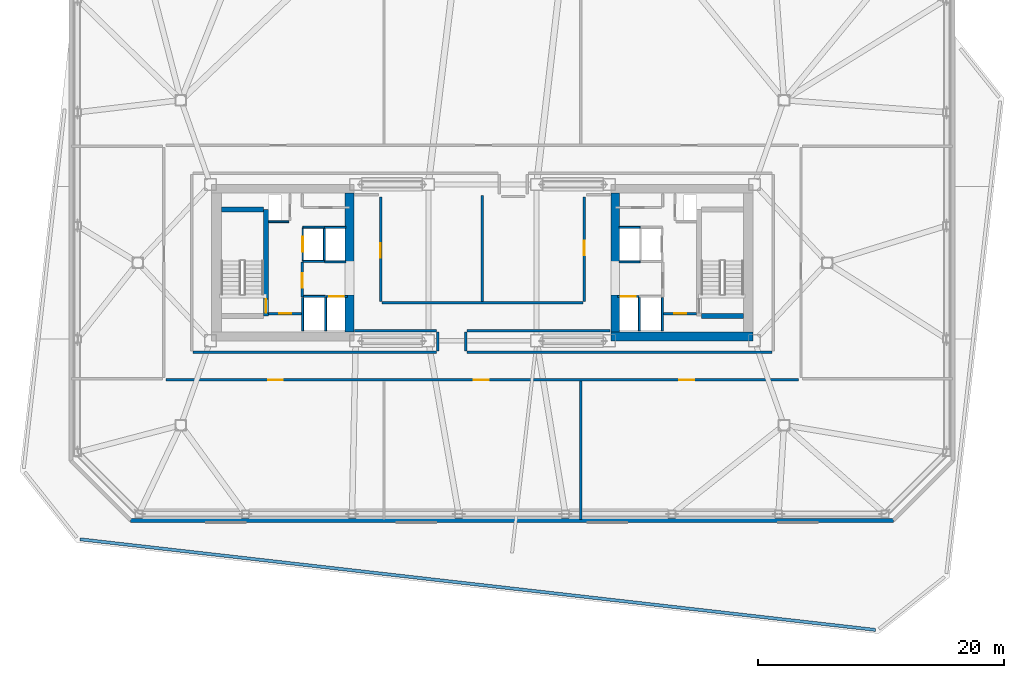
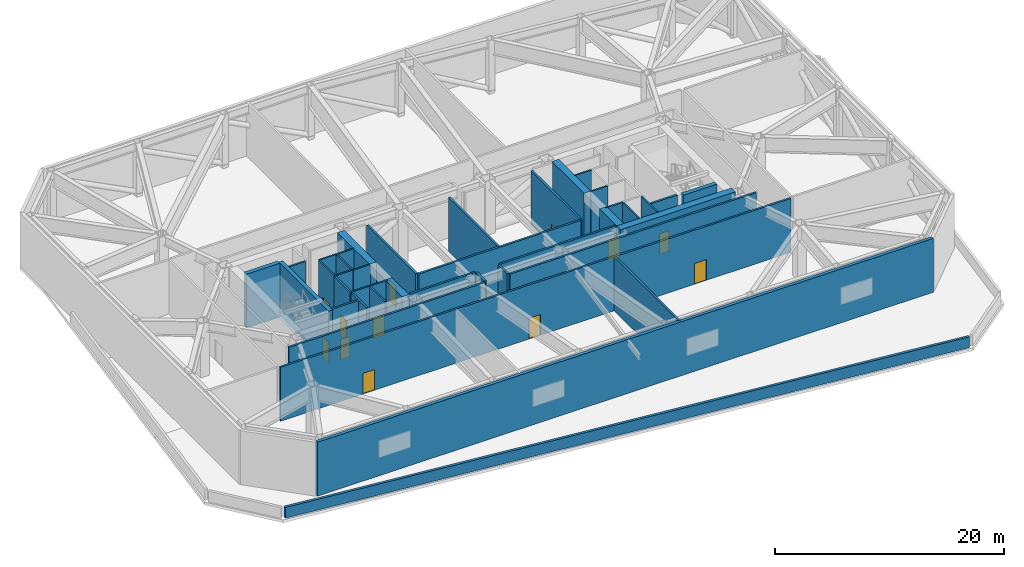
# One storey, part 4 of 12: 41 walls, 12 doors, 12 openings.
"""IFC4 building model written with IfcOpenShell, lengths in metres."""

from ifc_helpers import new_model, si_unit, direction, frame, frame_2d, origin, place, context, subcontext, project, spatial, rectangle, extrude, material, layer, layer_set, type_object, element, fill, save


model = new_model("IFC4")

# Units and contexts
model_context = context("Model", 3, precision=1e-05, world=origin(), true_north=direction((0.0, 1.0)))
body_context = subcontext(model_context, "Body", "Model", "MODEL_VIEW")
ifc_project = project(units=[si_unit("LENGTHUNIT", "METRE"), si_unit("AREAUNIT", "SQUARE_METRE"), si_unit("VOLUMEUNIT", "CUBIC_METRE"), si_unit("PLANEANGLEUNIT", "RADIAN"), si_unit("MASSUNIT", "GRAM", prefix="KILO")], contexts=[model_context])

# Site, building, storey
site_placement = place(None, origin())
site = spatial("IfcSite", under=ifc_project, at=site_placement, CompositionType="ELEMENT")
building_placement = place(site_placement, origin())
building = spatial("IfcBuilding", under=site, at=building_placement, Name="Tavrogorsk Clinical Tower", CompositionType="ELEMENT")
storey_placement = place(building_placement, frame((0.0, 0.0, 146.199951171875)))
storey = spatial("IfcBuildingStorey", under=building, at=storey_placement, Name="L33", CompositionType="ELEMENT", Elevation=146.199951171875)

# Wall, opening, door
ifc_material_1 = material(Name="Concrete B60", Category="concrete")
ifc_layer_1 = layer(ifc_material_1, 0.199951171875)
ifc_layer_set_1 = layer_set([ifc_layer_1], Name="Concrete B60")
wall_type_1 = type_object("IfcWallType", Name="CoreFireWall_200", PredefinedType="SOLIDWALL", material=ifc_layer_set_1)
wall_1_placement = place(storey_placement, frame((-17.3798828125, -4.139892578125, 0.0), z_axis=(0.0, 0.0, 1.0), x_axis=(1.0, 0.0, 0.0)))
wall_1 = element("IfcWall", 1, at=wall_1_placement, inside=storey, type_object=wall_type_1, Name="L33 Core West South Core Room Fire Wall", PredefinedType="SOLIDWALL", context=body_context, shape_type="SweptSolid", body=[
    extrude(rectangle(XDim=2.659912109375, YDim=0.199951171875, at=frame_2d((1.330078125, 0.0))), origin(), (0.0, 0.0, 1.0), 5.739990234375),
])
opening_1_placement = place(wall_1_placement, frame((0.8798828125, 0.0, 0.0)))
opening_1 = element("IfcOpeningElement", 2, at=opening_1_placement, cuts=wall_1, Name="Opening ID-02", PredefinedType="OPENING", context=body_context, shape_type="SweptSolid", body=[
    extrude(rectangle(XDim=0.949951171875, YDim=2.199951171875, at=frame_2d((0.47509765625, 1.10009765625))), frame((0.0, 0.10986328125, 0.0), z_axis=(0.0, -1.0, 0.0), x_axis=(1.0, 0.0, 0.0)), (0.0, 0.0, 1.0), 0.219970703125),
])
ifc_material_2 = material(Name="Laminated timber leaf on aluminium frame", Category="wood")
door_type_1 = type_object("IfcDoorType", Name="InteriorDoor_ID02_950", OperationType="NOTDEFINED", PredefinedType="DOOR", material=ifc_material_2)
door_1_placement = place(opening_1_placement, origin())
door_1 = element("IfcDoor", 3, at=door_1_placement, inside=storey, type_object=door_type_1, Name="L33 Core West South Core Room Door", OperationType="SINGLE_SWING_RIGHT", OverallHeight=2.199951171875, OverallWidth=0.949951171875, PredefinedType="DOOR", context=body_context, shape_type="SweptSolid", body=[
    extrude(rectangle(XDim=0.949951171875, YDim=2.199951171875, at=frame_2d((0.47509765625, 1.10009765625))), frame((0.0, 0.02490234375, 0.0), z_axis=(0.0, -1.0, 0.0), x_axis=(1.0, 0.0, 0.0)), (0.0, 0.0, 1.0), 0.050048828125),
])
fill(opening_1, door_1)

wall_2_placement = place(storey_placement, frame((-14.639892578125, -2.780029296875, 0.0), z_axis=(0.0, 0.0, 1.0), x_axis=(0.0, 1.0, 0.0)))
wall_2 = element("IfcWall", 4, at=wall_2_placement, inside=storey, type_object=wall_type_1, Name="L33 Core West Firefighting Lobby Fire Wall", PredefinedType="SOLIDWALL", context=body_context, shape_type="SweptSolid", body=[
    extrude(rectangle(XDim=2.820068359375, YDim=0.199951171875, at=frame_2d((1.41015625, 0.0))), origin(), (0.0, 0.0, 1.0), 5.739990234375),
])
opening_2_placement = place(wall_2_placement, frame((0.72998046875, 0.0, 0.0)))
opening_2 = element("IfcOpeningElement", 5, at=opening_2_placement, cuts=wall_2, Name="Opening FD-01", PredefinedType="OPENING", context=body_context, shape_type="SweptSolid", body=[
    extrude(rectangle(XDim=1.199951171875, YDim=2.199951171875, at=frame_2d((0.60009765625, 1.10009765625))), frame((0.0, 0.10986328125, 0.0), z_axis=(0.0, -1.0, 0.0), x_axis=(1.0, 0.0, 0.0)), (0.0, 0.0, 1.0), 0.219970703125),
])
ifc_material_3 = material(Name="Galvanised steel fire-rated door assembly", Category="steel")
door_type_2 = type_object("IfcDoorType", Name="FireDoor_FD01_1200", OperationType="NOTDEFINED", PredefinedType="DOOR", material=ifc_material_3)
door_2_placement = place(opening_2_placement, origin())
door_2 = element("IfcDoor", 6, at=door_2_placement, inside=storey, type_object=door_type_2, Name="L33 Core West Firefighting Lobby Entry Door", OperationType="SINGLE_SWING_RIGHT", OverallHeight=2.199951171875, OverallWidth=1.199951171875, PredefinedType="DOOR", context=body_context, shape_type="SweptSolid", body=[
    extrude(rectangle(XDim=1.199951171875, YDim=2.199951171875, at=frame_2d((0.60009765625, 1.10009765625))), frame((0.0, 0.02490234375, 0.0), z_axis=(0.0, -1.0, 0.0), x_axis=(1.0, 0.0, 0.0)), (0.0, 0.0, 1.0), 0.050048828125),
])
fill(opening_2, door_2)

wall_3_placement = place(storey_placement, frame((14.719970703125, -4.139892578125, 0.0), z_axis=(0.0, 0.0, 1.0), x_axis=(1.0, 0.0, 0.0)))
wall_3 = element("IfcWall", 7, at=wall_3_placement, inside=storey, type_object=wall_type_1, Name="L33 Core East South Core Room Fire Wall", PredefinedType="SOLIDWALL", context=body_context, shape_type="SweptSolid", body=[
    extrude(rectangle(XDim=2.659912109375, YDim=0.199951171875, at=frame_2d((1.330078125, 0.0))), origin(), (0.0, 0.0, 1.0), 5.739990234375),
])
opening_3_placement = place(wall_3_placement, frame((0.8798828125, 0.0, 0.0)))
opening_3 = element("IfcOpeningElement", 8, at=opening_3_placement, cuts=wall_3, Name="Opening ID-02", PredefinedType="OPENING", context=body_context, shape_type="SweptSolid", body=[
    extrude(rectangle(XDim=0.949951171875, YDim=2.199951171875, at=frame_2d((0.47509765625, 1.10009765625))), frame((0.0, 0.10986328125, 0.0), z_axis=(0.0, -1.0, 0.0), x_axis=(1.0, 0.0, 0.0)), (0.0, 0.0, 1.0), 0.219970703125),
])
door_3_placement = place(opening_3_placement, origin())
door_3 = element("IfcDoor", 9, at=door_3_placement, inside=storey, type_object=door_type_1, Name="L33 Core East South Core Room Door", OperationType="SINGLE_SWING_RIGHT", OverallHeight=2.199951171875, OverallWidth=0.949951171875, PredefinedType="DOOR", context=body_context, shape_type="SweptSolid", body=[
    extrude(rectangle(XDim=0.949951171875, YDim=2.199951171875, at=frame_2d((0.47509765625, 1.10009765625))), frame((0.0, 0.02490234375, 0.0), z_axis=(0.0, -1.0, 0.0), x_axis=(1.0, 0.0, 0.0)), (0.0, 0.0, 1.0), 0.050048828125),
])
fill(opening_3, door_3)

# Wall, openings, doors
wall_4_placement = place(storey_placement, frame((25.695068359375, -9.530029296875, 0.0), z_axis=(0.0, 0.0, 1.0), x_axis=(-1.0, 0.0, 0.0)))
wall_4 = element("IfcWall", 10, at=wall_4_placement, inside=storey, type_object=wall_type_1, Name="L33 Refuge Corridor Fire Wall 04", PredefinedType="SOLIDWALL", context=body_context, shape_type="SweptSolid", body=[
    extrude(rectangle(XDim=51.39013671875, YDim=0.199951171875, at=frame_2d((25.695068359375, 0.0))), origin(), (0.0, 0.0, 1.0), 5.739990234375),
])
opening_4_placement = place(wall_4_placement, frame((41.906005859375, 0.0, 0.0)))
opening_4 = element("IfcOpeningElement", 11, at=opening_4_placement, cuts=wall_4, Name="Opening FD-01", PredefinedType="OPENING", context=body_context, shape_type="SweptSolid", body=[
    extrude(rectangle(XDim=1.199951171875, YDim=2.199951171875, at=frame_2d((0.60009765625, 1.10009765625))), frame((0.0, 0.10986328125, 0.0), z_axis=(0.0, -1.0, 0.0), x_axis=(1.0, 0.0, 0.0)), (0.0, 0.0, 1.0), 0.219970703125),
])
opening_5_placement = place(wall_4_placement, frame((8.494140625, 0.0, 0.0)))
opening_5 = element("IfcOpeningElement", 12, at=opening_5_placement, cuts=wall_4, Name="Opening FD-01", PredefinedType="OPENING", context=body_context, shape_type="SweptSolid", body=[
    extrude(rectangle(XDim=1.199951171875, YDim=2.199951171875, at=frame_2d((0.60009765625, 1.10009765625))), frame((0.0, 0.10986328125, 0.0), z_axis=(0.0, -1.0, 0.0), x_axis=(1.0, 0.0, 0.0)), (0.0, 0.0, 1.0), 0.219970703125),
])
opening_6_placement = place(wall_4_placement, frame((25.199951171875, 0.0, 0.0)))
opening_6 = element("IfcOpeningElement", 13, at=opening_6_placement, cuts=wall_4, Name="Opening FD-01", PredefinedType="OPENING", context=body_context, shape_type="SweptSolid", body=[
    extrude(rectangle(XDim=1.199951171875, YDim=2.199951171875, at=frame_2d((0.60009765625, 1.10009765625))), frame((0.0, 0.10986328125, 0.0), z_axis=(0.0, -1.0, 0.0), x_axis=(1.0, 0.0, 0.0)), (0.0, 0.0, 1.0), 0.219970703125),
])
door_4_placement = place(opening_4_placement, origin())
door_4 = element("IfcDoor", 14, at=door_4_placement, inside=storey, type_object=door_type_2, Name="L33 Pressurised Patient Refuge Area West Fire Door", OperationType="SINGLE_SWING_LEFT", OverallHeight=2.199951171875, OverallWidth=1.199951171875, PredefinedType="DOOR", context=body_context, shape_type="SweptSolid", body=[
    extrude(rectangle(XDim=1.199951171875, YDim=2.199951171875, at=frame_2d((0.60009765625, 1.10009765625))), frame((0.0, 0.02490234375, 0.0), z_axis=(0.0, -1.0, 0.0), x_axis=(1.0, 0.0, 0.0)), (0.0, 0.0, 1.0), 0.050048828125),
])
fill(opening_4, door_4)
door_5_placement = place(opening_5_placement, origin())
door_5 = element("IfcDoor", 15, at=door_5_placement, inside=storey, type_object=door_type_2, Name="L33 Pressurised Patient Refuge Area East Fire Door", OperationType="SINGLE_SWING_RIGHT", OverallHeight=2.199951171875, OverallWidth=1.199951171875, PredefinedType="DOOR", context=body_context, shape_type="SweptSolid", body=[
    extrude(rectangle(XDim=1.199951171875, YDim=2.199951171875, at=frame_2d((0.60009765625, 1.10009765625))), frame((0.0, 0.02490234375, 0.0), z_axis=(0.0, -1.0, 0.0), x_axis=(1.0, 0.0, 0.0)), (0.0, 0.0, 1.0), 0.050048828125),
])
fill(opening_5, door_5)
door_6_placement = place(opening_6_placement, origin())
door_6 = element("IfcDoor", 16, at=door_6_placement, inside=storey, type_object=door_type_2, Name="L33 Bariatric & Stretcher Holding Refuge Fire Door", OperationType="SINGLE_SWING_LEFT", OverallHeight=2.199951171875, OverallWidth=1.199951171875, PredefinedType="DOOR", context=body_context, shape_type="SweptSolid", body=[
    extrude(rectangle(XDim=1.199951171875, YDim=2.199951171875, at=frame_2d((0.60009765625, 1.10009765625))), frame((0.0, 0.02490234375, 0.0), z_axis=(0.0, -1.0, 0.0), x_axis=(1.0, 0.0, 0.0)), (0.0, 0.0, 1.0), 0.050048828125),
])
fill(opening_6, door_6)

# Walls
wall_5_placement = place(storey_placement, frame((-3.6298828125, -7.1650390625, 0.0), z_axis=(0.0, 0.0, 1.0), x_axis=(0.0, 1.0, 0.0)))
element("IfcWall", 17, at=wall_5_placement, inside=storey, type_object=wall_type_1, Name="L33 Refuge Corridor Fire Wall 05", PredefinedType="SOLIDWALL", context=body_context, shape_type="SweptSolid", body=[
    extrude(rectangle(XDim=1.530029296875, YDim=0.199951171875, at=frame_2d((0.76513671875, 0.0))), origin(), (0.0, 0.0, 1.0), 5.739990234375),
])
wall_6_placement = place(storey_placement, frame((-3.735107421875, -5.530029296875, 0.0), z_axis=(0.0, 0.0, 1.0), x_axis=(-1.0, 0.0, 0.0)))
element("IfcWall", 18, at=wall_6_placement, inside=storey, type_object=wall_type_1, Name="L33 Refuge Corridor Fire Wall 06", PredefinedType="SOLIDWALL", context=body_context, shape_type="SweptSolid", body=[
    extrude(rectangle(XDim=6.644775390625, YDim=0.199951171875, at=frame_2d((3.322265625, 0.0))), origin(), (0.0, 0.0, 1.0), 5.739990234375),
])

# Wall, opening, door
wall_7_placement = place(storey_placement, frame((-8.27001953125, 5.344970703125, 0.0), z_axis=(0.0, 0.0, 1.0), x_axis=(0.0, -1.0, 0.0)))
wall_7 = element("IfcWall", 19, at=wall_7_placement, inside=storey, type_object=wall_type_1, Name="L33 Refuge Corridor Fire Wall 08", PredefinedType="SOLIDWALL", context=body_context, shape_type="SweptSolid", body=[
    extrude(rectangle(XDim=8.510009765625, YDim=0.199951171875, at=frame_2d((4.2548828125, 0.0))), origin(), (0.0, 0.0, 1.0), 5.739990234375),
])
opening_7_placement = place(wall_7_placement, frame((3.760009765625, 0.0, 0.0)))
opening_7 = element("IfcOpeningElement", 20, at=opening_7_placement, cuts=wall_7, Name="Opening FD-01", PredefinedType="OPENING", context=body_context, shape_type="SweptSolid", body=[
    extrude(rectangle(XDim=1.199951171875, YDim=2.199951171875, at=frame_2d((0.60009765625, 1.10009765625))), frame((0.0, 0.10986328125, 0.0), z_axis=(0.0, -1.0, 0.0), x_axis=(1.0, 0.0, 0.0)), (0.0, 0.0, 1.0), 0.219970703125),
])
door_7_placement = place(opening_7_placement, origin())
door_7 = element("IfcDoor", 21, at=door_7_placement, inside=storey, type_object=door_type_2, Name="L33 Zone Substation & Medical IT UPS Fire Door", OperationType="SINGLE_SWING_LEFT", OverallHeight=2.199951171875, OverallWidth=1.199951171875, PredefinedType="DOOR", context=body_context, shape_type="SweptSolid", body=[
    extrude(rectangle(XDim=1.199951171875, YDim=2.199951171875, at=frame_2d((0.60009765625, 1.10009765625))), frame((0.0, 0.02490234375, 0.0), z_axis=(0.0, -1.0, 0.0), x_axis=(1.0, 0.0, 0.0)), (0.0, 0.0, 1.0), 0.050048828125),
])
fill(opening_7, door_7)

# Wall
wall_8_placement = place(storey_placement, frame((-8.1650390625, -3.27001953125, 0.0), z_axis=(0.0, 0.0, 1.0), x_axis=(1.0, 0.0, 0.0)))
element("IfcWall", 22, at=wall_8_placement, inside=storey, type_object=wall_type_1, Name="L33 Refuge Corridor Fire Wall 09", PredefinedType="SOLIDWALL", context=body_context, shape_type="SweptSolid", body=[
    extrude(rectangle(XDim=16.330078125, YDim=0.199951171875, at=frame_2d((8.1650390625, 0.0))), origin(), (0.0, 0.0, 1.0), 5.739990234375),
])

# Wall, opening, door
wall_9_placement = place(storey_placement, frame((8.27001953125, -3.1650390625, 0.0), z_axis=(0.0, 0.0, 1.0), x_axis=(0.0, 1.0, 0.0)))
wall_9 = element("IfcWall", 23, at=wall_9_placement, inside=storey, type_object=wall_type_1, Name="L33 Refuge Corridor Fire Wall 10", PredefinedType="SOLIDWALL", context=body_context, shape_type="SweptSolid", body=[
    extrude(rectangle(XDim=8.510009765625, YDim=0.199951171875, at=frame_2d((4.2548828125, 0.0))), origin(), (0.0, 0.0, 1.0), 5.739990234375),
])
opening_8_placement = place(wall_9_placement, frame((3.760009765625, 0.0, 0.0)))
opening_8 = element("IfcOpeningElement", 24, at=opening_8_placement, cuts=wall_9, Name="Opening FD-01", PredefinedType="OPENING", context=body_context, shape_type="SweptSolid", body=[
    extrude(rectangle(XDim=1.199951171875, YDim=2.199951171875, at=frame_2d((0.60009765625, 1.10009765625))), frame((0.0, 0.10986328125, 0.0), z_axis=(0.0, -1.0, 0.0), x_axis=(1.0, 0.0, 0.0)), (0.0, 0.0, 1.0), 0.219970703125),
])
door_8_placement = place(opening_8_placement, origin())
door_8 = element("IfcDoor", 25, at=door_8_placement, inside=storey, type_object=door_type_2, Name="L33 Zone Domestic Water & Vacuum Booster Fire Door", OperationType="SINGLE_SWING_RIGHT", OverallHeight=2.199951171875, OverallWidth=1.199951171875, PredefinedType="DOOR", context=body_context, shape_type="SweptSolid", body=[
    extrude(rectangle(XDim=1.199951171875, YDim=2.199951171875, at=frame_2d((0.60009765625, 1.10009765625))), frame((0.0, 0.02490234375, 0.0), z_axis=(0.0, -1.0, 0.0), x_axis=(1.0, 0.0, 0.0)), (0.0, 0.0, 1.0), 0.050048828125),
])
fill(opening_8, door_8)

# Walls
wall_10_placement = place(storey_placement, frame((10.3798828125, -5.530029296875, 0.0), z_axis=(0.0, 0.0, 1.0), x_axis=(-1.0, 0.0, 0.0)))
element("IfcWall", 26, at=wall_10_placement, inside=storey, type_object=wall_type_1, Name="L33 Refuge Corridor Fire Wall 12", PredefinedType="SOLIDWALL", context=body_context, shape_type="SweptSolid", body=[
    extrude(rectangle(XDim=11.644775390625, YDim=0.199951171875, at=frame_2d((5.822265625, 0.0))), origin(), (0.0, 0.0, 1.0), 5.739990234375),
])
wall_11_placement = place(storey_placement, frame((-1.3701171875, -5.635009765625, 0.0), z_axis=(0.0, 0.0, 1.0), x_axis=(0.0, -1.0, 0.0)))
element("IfcWall", 27, at=wall_11_placement, inside=storey, type_object=wall_type_1, Name="L33 Refuge Corridor Fire Wall 13", PredefinedType="SOLIDWALL", context=body_context, shape_type="SweptSolid", body=[
    extrude(rectangle(XDim=1.530029296875, YDim=0.199951171875, at=frame_2d((0.76513671875, 0.0))), origin(), (0.0, 0.0, 1.0), 5.739990234375),
])
wall_12_placement = place(storey_placement, frame((-1.264892578125, -7.27001953125, 0.0), z_axis=(0.0, 0.0, 1.0), x_axis=(1.0, 0.0, 0.0)))
element("IfcWall", 28, at=wall_12_placement, inside=storey, type_object=wall_type_1, Name="L33 Refuge Corridor Fire Wall 14", PredefinedType="SOLIDWALL", context=body_context, shape_type="SweptSolid", body=[
    extrude(rectangle(XDim=24.77978515625, YDim=0.199951171875, at=frame_2d((12.389892578125, 0.0))), origin(), (0.0, 0.0, 1.0), 5.739990234375),
])
wall_13_placement = place(storey_placement, frame((-23.514892578125, -7.27001953125, 0.0), z_axis=(0.0, 0.0, 1.0), x_axis=(1.0, 0.0, 0.0)))
element("IfcWall", 29, at=wall_13_placement, inside=storey, type_object=wall_type_1, Name="L33 Refuge Corridor Fire Wall 22", PredefinedType="SOLIDWALL", context=body_context, shape_type="SweptSolid", body=[
    extrude(rectangle(XDim=19.77978515625, YDim=0.199951171875, at=frame_2d((9.889892578125, 0.0))), origin(), (0.0, 0.0, 1.0), 5.739990234375),
])
wall_14_placement = place(storey_placement, frame((8.0, -20.8798828125, 0.0), z_axis=(0.0, 0.0, 1.0), x_axis=(0.0, 1.0, 0.0)))
element("IfcWall", 30, at=wall_14_placement, inside=storey, type_object=wall_type_1, Name="L33 Refuge & Plant Fire Wall 6", PredefinedType="SOLIDWALL", context=body_context, shape_type="SweptSolid", body=[
    extrude(rectangle(XDim=11.244873046875, YDim=0.199951171875, at=frame_2d((5.62255859375, 0.0))), origin(), (0.0, 0.0, 1.0), 5.739990234375),
])
wall_15_placement = place(storey_placement, frame((0.0, -3.1650390625, 0.0), z_axis=(0.0, 0.0, 1.0), x_axis=(0.0, 1.0, 0.0)))
element("IfcWall", 31, at=wall_15_placement, inside=storey, type_object=wall_type_1, Name="L33 Refuge & Plant Fire Wall 9", PredefinedType="SOLIDWALL", context=body_context, shape_type="SweptSolid", body=[
    extrude(rectangle(XDim=8.614990234375, YDim=0.199951171875, at=frame_2d((4.3076171875, 0.0))), origin(), (0.0, 0.0, 1.0), 5.739990234375),
])
ifc_material_4 = material(Name="Precast concrete B45 acoustic plenum wall", Category="concrete")
ifc_layer_2 = layer(ifc_material_4, 0.320068359375)
ifc_layer_set_2 = layer_set([ifc_layer_2], Name="Precast concrete B45 acoustic plenum wall")
wall_type_2 = type_object("IfcWallType", Name="PlantLouvreWall_320", PredefinedType="STANDARD", material=ifc_layer_set_2)
wall_16_placement = place(storey_placement, frame((-28.60009765625, -20.93994140625, 0.0), z_axis=(0.0, 0.0, 1.0), x_axis=(1.0, 0.0, 0.0)))
element("IfcWall", 32, at=wall_16_placement, inside=storey, type_object=wall_type_2, Name="L33 S Limestone Facade Wall 1", PredefinedType="STANDARD", context=body_context, shape_type="SweptSolid", body=[
    extrude(rectangle(XDim=62.0, YDim=0.320068359375, at=frame_2d((31.0, 0.0))), origin(), (0.0, 0.0, 1.0), 5.739990234375),
])
ifc_material_5 = material(Name="Concrete B60", Category="concrete")
ifc_layer_3 = layer(ifc_material_5, 0.25)
ifc_layer_set_3 = layer_set([ifc_layer_3], Name="Concrete B60")
wall_type_3 = type_object("IfcWallType", Name="RoofParapetWall_250", PredefinedType="PARAPET", material=ifc_layer_set_3)
wall_17_placement = place(storey_placement, frame((31.939208984375, -29.84423828125, 0.0), z_axis=(0.0, 0.0, 1.0), x_axis=(-0.993572062515, 0.113201398353, 0.0)))
element("IfcWall", 33, at=wall_17_placement, inside=storey, type_object=wall_type_3, Name="L33 Setback Coping Parapet 6", PredefinedType="PARAPET", context=body_context, shape_type="SweptSolid", body=[
    extrude(rectangle(XDim=65.048095703125, YDim=0.25, at=frame_2d((32.52392578125, 0.0))), origin(), (0.0, 0.0, 1.0), 1.150146484375),
])

# Wall, opening, door
ifc_material_6 = material(Name="Lightweight concrete blockwork B25", Category="masonry")
ifc_layer_4 = layer(ifc_material_6, 0.159912109375)
ifc_layer_set_4 = layer_set([ifc_layer_4], Name="Lightweight concrete blockwork B25")
wall_type_4 = type_object("IfcWallType", Name="ShaftWall_160", PredefinedType="PARTITIONING", material=ifc_layer_set_4)
wall_18_placement = place(storey_placement, frame((-14.60009765625, 0.1201171875, 0.0), z_axis=(0.0, 0.0, 1.0), x_axis=(0.0, 1.0, 0.0)))
wall_18 = element("IfcWall", 34, at=wall_18_placement, inside=storey, type_object=wall_type_4, Name="L33 FFL-W Firefighting Lift Front Wall", PredefinedType="PARTITIONING", context=body_context, shape_type="SweptSolid", body=[
    extrude(rectangle(XDim=2.739990234375, YDim=0.159912109375, at=frame_2d((1.3701171875, 0.0))), origin(), (0.0, 0.0, 1.0), 5.739990234375),
])
opening_9_placement = place(wall_18_placement, frame((0.77001953125, 0.0, 0.0)))
opening_9 = element("IfcOpeningElement", 35, at=opening_9_placement, cuts=wall_18, Name="Opening LD", PredefinedType="OPENING", context=body_context, shape_type="SweptSolid", body=[
    extrude(rectangle(XDim=1.199951171875, YDim=2.199951171875, at=frame_2d((0.60009765625, 1.10009765625))), frame((0.0, 0.08984375, 0.0), z_axis=(0.0, -1.0, 0.0), x_axis=(1.0, 0.0, 0.0)), (0.0, 0.0, 1.0), 0.179931640625),
])
ifc_material_7 = material(Name="Brushed stainless steel AISI 304 sliding doors", Category="steel")
door_type_3 = type_object("IfcDoorType", Name="LiftLandingDoor_LD_1200", OperationType="SLIDING_TO_LEFT", PredefinedType="DOOR", material=ifc_material_7)
door_9_placement = place(opening_9_placement, origin())
door_9 = element("IfcDoor", 36, at=door_9_placement, inside=storey, type_object=door_type_3, Name="L33 FFL-W Sliding Lift Landing Door", OperationType="SLIDING_TO_LEFT", OverallHeight=2.199951171875, OverallWidth=1.199951171875, PredefinedType="DOOR", context=body_context, shape_type="SweptSolid", body=[
    extrude(rectangle(XDim=1.199951171875, YDim=2.199951171875, at=frame_2d((0.60009765625, 1.10009765625))), frame((0.0, 0.02490234375, 0.0), z_axis=(0.0, -1.0, 0.0), x_axis=(1.0, 0.0, 0.0)), (0.0, 0.0, 1.0), 0.050048828125),
])
fill(opening_9, door_9)

# Walls
for number, where, z_axis, x_axis, name in (
    (37, (-14.60009765625, 0.10009765625, 0.0), (0.0, 0.0, 1.0), (1.0, 0.0, 0.0), "L33 FFL-W Shaft South Wall"),
    (38, (-14.60009765625, 2.8798828125, 0.0), (0.0, 0.0, 1.0), (1.0, 0.0, 0.0), "L33 FFL-W Shaft North Wall"),
):
    element("IfcWall", number, at=place(storey_placement, frame(where, z_axis=z_axis, x_axis=x_axis)), inside=storey, type_object=wall_type_4, Name=name, PredefinedType="PARTITIONING", context=body_context, shape_type="SweptSolid", body=[
        extrude(rectangle(XDim=1.760009765625, YDim=0.159912109375, at=frame_2d((0.8798828125, 0.0))), origin(), (0.0, 0.0, 1.0), 5.739990234375),
    ])
wall_19_placement = place(storey_placement, frame((-12.840087890625, 0.179931640625, 0.0), z_axis=(0.0, 0.0, 1.0), x_axis=(0.0, 1.0, 0.0)))
element("IfcWall", 39, at=wall_19_placement, inside=storey, type_object=wall_type_4, Name="L33 FFL-W Shaft Back Wall", PredefinedType="PARTITIONING", context=body_context, shape_type="SweptSolid", body=[
    extrude(rectangle(XDim=2.6201171875, YDim=0.159912109375, at=frame_2d((1.31005859375, 0.0))), origin(), (0.0, 0.0, 1.0), 5.739990234375),
])
wall_20_placement = place(storey_placement, frame((-14.530029296875, -2.75, 0.0), z_axis=(0.0, 0.0, 1.0), x_axis=(1.0, 0.0, 0.0)))
element("IfcWall", 40, at=wall_20_placement, inside=storey, type_object=wall_type_4, Name="L33 LP-L1 Lift Shaft Portal Wall", PredefinedType="PARTITIONING", context=body_context, shape_type="SweptSolid", body=[
    extrude(rectangle(XDim=1.760009765625, YDim=0.159912109375, at=frame_2d((0.8798828125, 0.0))), origin(), (0.0, 0.0, 1.0), 5.739990234375),
])
for number, where, z_axis, x_axis, name in (
    (41, (-12.75, -5.5400390625, 0.0), (0.0, 0.0, 1.0), (0.0, 1.0, 0.0), "L33 LP-L1 Lift Hoistway Divider Wall"),
    (42, (-14.610107421875, -5.5400390625, 0.0), (0.0, 0.0, 1.0), (0.0, 1.0, 0.0), "L33 LP-L1 Lift Hoistway Outer Cheek Wall"),
):
    element("IfcWall", number, at=place(storey_placement, frame(where, z_axis=z_axis, x_axis=x_axis)), inside=storey, type_object=wall_type_4, Name=name, PredefinedType="PARTITIONING", context=body_context, shape_type="SweptSolid", body=[
        extrude(rectangle(XDim=2.699951171875, YDim=0.159912109375, at=frame_2d((1.35009765625, 0.0))), origin(), (0.0, 0.0, 1.0), 5.739990234375),
    ])

# Wall, opening, door
wall_21_placement = place(storey_placement, frame((-12.72998046875, -2.75, 0.0), z_axis=(0.0, 0.0, 1.0), x_axis=(1.0, 0.0, 0.0)))
wall_21 = element("IfcWall", 43, at=wall_21_placement, inside=storey, type_object=wall_type_4, Name="L33 LP-M1 Lift Shaft Portal Wall", PredefinedType="PARTITIONING", context=body_context, shape_type="SweptSolid", body=[
    extrude(rectangle(XDim=1.760009765625, YDim=0.159912109375, at=frame_2d((0.8798828125, 0.0))), origin(), (0.0, 0.0, 1.0), 5.739990234375),
])
opening_10_placement = place(wall_21_placement, frame((0.280029296875, 0.0, 0.0)))
opening_10 = element("IfcOpeningElement", 44, at=opening_10_placement, cuts=wall_21, Name="Opening LD", PredefinedType="OPENING", context=body_context, shape_type="SweptSolid", body=[
    extrude(rectangle(XDim=1.199951171875, YDim=2.199951171875, at=frame_2d((0.60009765625, 1.10009765625))), frame((0.0, 0.08984375, 0.0), z_axis=(0.0, -1.0, 0.0), x_axis=(1.0, 0.0, 0.0)), (0.0, 0.0, 1.0), 0.179931640625),
])
door_10_placement = place(opening_10_placement, origin())
door_10 = element("IfcDoor", 45, at=door_10_placement, inside=storey, type_object=door_type_3, Name="L33 LP-M1 Sliding Lift Landing Door", OperationType="SLIDING_TO_LEFT", OverallHeight=2.199951171875, OverallWidth=1.199951171875, PredefinedType="DOOR", context=body_context, shape_type="SweptSolid", body=[
    extrude(rectangle(XDim=1.199951171875, YDim=2.199951171875, at=frame_2d((0.60009765625, 1.10009765625))), frame((0.0, 0.02490234375, 0.0), z_axis=(0.0, -1.0, 0.0), x_axis=(1.0, 0.0, 0.0)), (0.0, 0.0, 1.0), 0.050048828125),
])
fill(opening_10, door_10)

# Walls
for number, where, z_axis, x_axis, name in (
    (46, (-12.820068359375, 0.06005859375, 0.0), (0.0, 0.0, 1.0), (1.0, 0.0, 0.0), "L33 LP-H1 High-Zone Lift Portal Wall"),
    (47, (-12.820068359375, 2.860107421875, 0.0), (0.0, 0.0, 1.0), (1.0, 0.0, 0.0), "L33 LP-H1 High-Zone Lift Rear Wall"),
):
    element("IfcWall", number, at=place(storey_placement, frame(where, z_axis=z_axis, x_axis=x_axis)), inside=storey, type_object=wall_type_4, Name=name, PredefinedType="PARTITIONING", context=body_context, shape_type="SweptSolid", body=[
        extrude(rectangle(XDim=1.719970703125, YDim=0.159912109375, at=frame_2d((0.85986328125, 0.0))), origin(), (0.0, 0.0, 1.0), 5.739990234375),
    ])
for number, where, z_axis, x_axis, name in (
    (48, (12.75, -5.5400390625, 0.0), (0.0, 0.0, 1.0), (0.0, 1.0, 0.0), "L33 LP-L2 Lift Hoistway Divider Wall"),
    (49, (14.610107421875, -5.5400390625, 0.0), (0.0, 0.0, 1.0), (0.0, 1.0, 0.0), "L33 LP-L2 Lift Hoistway Outer Cheek Wall"),
):
    element("IfcWall", number, at=place(storey_placement, frame(where, z_axis=z_axis, x_axis=x_axis)), inside=storey, type_object=wall_type_4, Name=name, PredefinedType="PARTITIONING", context=body_context, shape_type="SweptSolid", body=[
        extrude(rectangle(XDim=2.699951171875, YDim=0.159912109375, at=frame_2d((1.35009765625, 0.0))), origin(), (0.0, 0.0, 1.0), 5.739990234375),
    ])

# Wall, opening, door
wall_22_placement = place(storey_placement, frame((10.969970703125, -2.75, 0.0), z_axis=(0.0, 0.0, 1.0), x_axis=(1.0, 0.0, 0.0)))
wall_22 = element("IfcWall", 50, at=wall_22_placement, inside=storey, type_object=wall_type_4, Name="L33 LP-M2 Lift Shaft Portal Wall", PredefinedType="PARTITIONING", context=body_context, shape_type="SweptSolid", body=[
    extrude(rectangle(XDim=1.760009765625, YDim=0.159912109375, at=frame_2d((0.8798828125, 0.0))), origin(), (0.0, 0.0, 1.0), 5.739990234375),
])
opening_11_placement = place(wall_22_placement, frame((0.280029296875, 0.0, 0.0)))
opening_11 = element("IfcOpeningElement", 51, at=opening_11_placement, cuts=wall_22, Name="Opening LD", PredefinedType="OPENING", context=body_context, shape_type="SweptSolid", body=[
    extrude(rectangle(XDim=1.199951171875, YDim=2.199951171875, at=frame_2d((0.60009765625, 1.10009765625))), frame((0.0, 0.08984375, 0.0), z_axis=(0.0, -1.0, 0.0), x_axis=(1.0, 0.0, 0.0)), (0.0, 0.0, 1.0), 0.179931640625),
])
door_11_placement = place(opening_11_placement, origin())
door_11 = element("IfcDoor", 52, at=door_11_placement, inside=storey, type_object=door_type_3, Name="L33 LP-M2 Sliding Lift Landing Door", OperationType="SLIDING_TO_LEFT", OverallHeight=2.199951171875, OverallWidth=1.199951171875, PredefinedType="DOOR", context=body_context, shape_type="SweptSolid", body=[
    extrude(rectangle(XDim=1.199951171875, YDim=2.199951171875, at=frame_2d((0.60009765625, 1.10009765625))), frame((0.0, 0.02490234375, 0.0), z_axis=(0.0, -1.0, 0.0), x_axis=(1.0, 0.0, 0.0)), (0.0, 0.0, 1.0), 0.050048828125),
])
fill(opening_11, door_11)

# Walls
for number, where, z_axis, x_axis, name in (
    (53, (11.10009765625, 0.06005859375, 0.0), (0.0, 0.0, 1.0), (1.0, 0.0, 0.0), "L33 LP-H2 High-Zone Lift Portal Wall"),
    (54, (11.10009765625, 2.860107421875, 0.0), (0.0, 0.0, 1.0), (1.0, 0.0, 0.0), "L33 LP-H2 High-Zone Lift Rear Wall"),
):
    element("IfcWall", number, at=place(storey_placement, frame(where, z_axis=z_axis, x_axis=x_axis)), inside=storey, type_object=wall_type_4, Name=name, PredefinedType="PARTITIONING", context=body_context, shape_type="SweptSolid", body=[
        extrude(rectangle(XDim=1.719970703125, YDim=0.159912109375, at=frame_2d((0.85986328125, 0.0))), origin(), (0.0, 0.0, 1.0), 5.739990234375),
    ])
wall_23_placement = place(storey_placement, frame((-17.3798828125, 3.320068359375, 0.0), z_axis=(0.0, 0.0, 1.0), x_axis=(1.0, 0.0, 0.0)))
element("IfcWall", 55, at=wall_23_placement, inside=storey, type_object=wall_type_4, Name="L33 Core West Riser South Wall", PredefinedType="PARTITIONING", context=body_context, shape_type="SweptSolid", body=[
    extrude(rectangle(XDim=1.65478515625, YDim=0.159912109375, at=frame_2d((0.827392578125, 0.0))), origin(), (0.0, 0.0, 1.0), 5.739990234375),
])

# Wall, opening, door
ifc_material_8 = material(Name="Concrete B80", Category="concrete")
ifc_layer_5 = layer(ifc_material_8, 0.39990234375)
ifc_layer_set_5 = layer_set([ifc_layer_5], Name="Concrete B80")
wall_type_5 = type_object("IfcWallType", Name="ShearWall_400", PredefinedType="SHEAR", material=ifc_layer_set_5)
wall_24_placement = place(storey_placement, frame((-17.60009765625, -4.324951171875, 0.0), z_axis=(0.0, 0.0, 1.0), x_axis=(0.0, 1.0, 0.0)))
wall_24 = element("IfcWall", 56, at=wall_24_placement, inside=storey, type_object=wall_type_5, Name="L33 Core West Stair Shaft Inner Shear Wall", PredefinedType="SHEAR", context=body_context, shape_type="SweptSolid", body=[
    extrude(rectangle(XDim=8.64990234375, YDim=0.39990234375, at=frame_2d((4.324951171875, 0.0))), origin(), (0.0, 0.0, 1.0), 5.739990234375),
])
opening_12_placement = place(wall_24_placement, frame((0.25, 0.0, 0.0)))
opening_12 = element("IfcOpeningElement", 57, at=opening_12_placement, cuts=wall_24, Name="Opening SD-01", PredefinedType="OPENING", context=body_context, shape_type="SweptSolid", body=[
    extrude(rectangle(XDim=1.10009765625, YDim=2.199951171875, at=frame_2d((0.550048828125, 1.10009765625))), frame((0.0, 0.2099609375, 0.0), z_axis=(0.0, -1.0, 0.0), x_axis=(1.0, 0.0, 0.0)), (0.0, 0.0, 1.0), 0.419921875),
])
ifc_material_9 = material(Name="Galvanised steel smoke-tight fire door assembly", Category="steel")
door_type_4 = type_object("IfcDoorType", Name="StairFireDoor_SD01_1100", OperationType="NOTDEFINED", PredefinedType="DOOR", material=ifc_material_9)
door_12_placement = place(opening_12_placement, origin())
door_12 = element("IfcDoor", 58, at=door_12_placement, inside=storey, type_object=door_type_4, Name="L33 ST-W Exit Stair Door", OperationType="SINGLE_SWING_RIGHT", OverallHeight=2.199951171875, OverallWidth=1.10009765625, PredefinedType="DOOR", context=body_context, shape_type="SweptSolid", body=[
    extrude(rectangle(XDim=1.10009765625, YDim=2.199951171875, at=frame_2d((0.550048828125, 1.10009765625))), frame((0.0, 0.02490234375, 0.0), z_axis=(0.0, -1.0, 0.0), x_axis=(1.0, 0.0, 0.0)), (0.0, 0.0, 1.0), 0.050048828125),
])
fill(opening_12, door_12)

# Walls
for number, where, z_axis, x_axis, name in (
    (59, (-21.199951171875, 4.324951171875, 0.0), (0.0, 0.0, 1.0), (1.0, 0.0, 0.0), "L33 Core West Stair Shaft North Shear Wall"),
    (60, (17.800048828125, -4.324951171875, 0.0), (0.0, 0.0, 1.0), (1.0, 0.0, 0.0), "L33 Core East Stair Shaft South Shear Wall"),
):
    element("IfcWall", number, at=place(storey_placement, frame(where, z_axis=z_axis, x_axis=x_axis)), inside=storey, type_object=wall_type_5, Name=name, PredefinedType="SHEAR", context=body_context, shape_type="SweptSolid", body=[
        extrude(rectangle(XDim=3.39990234375, YDim=0.39990234375, at=frame_2d((1.699951171875, 0.0))), origin(), (0.0, 0.0, 1.0), 5.739990234375),
    ])
ifc_material_10 = material(Name="Concrete B80", Category="concrete")
ifc_layer_6 = layer(ifc_material_10, 0.699951171875)
ifc_layer_set_6 = layer_set([ifc_layer_6], Name="Concrete B80")
wall_type_6 = type_object("IfcWallType", Name="ShearWall_700", PredefinedType="SHEAR", material=ifc_layer_set_6)
wall_25_placement = place(storey_placement, frame((-10.800048828125, -5.64990234375, 0.0), z_axis=(0.0, 0.0, 1.0), x_axis=(0.0, 1.0, 0.0)))
element("IfcWall", 61, at=wall_25_placement, inside=storey, type_object=wall_type_6, Name="L33 Core West Inner South Pier", PredefinedType="SHEAR", context=body_context, shape_type="SweptSolid", body=[
    extrude(rectangle(XDim=3.0, YDim=0.699951171875, at=frame_2d((1.5, 0.0))), origin(), (0.0, 0.0, 1.0), 5.739990234375),
])
wall_26_placement = place(storey_placement, frame((-10.800048828125, 0.050048828125, 0.0), z_axis=(0.0, 0.0, 1.0), x_axis=(0.0, 1.0, 0.0)))
element("IfcWall", 62, at=wall_26_placement, inside=storey, type_object=wall_type_6, Name="L33 Core West Inner North Pier", PredefinedType="SHEAR", context=body_context, shape_type="SweptSolid", body=[
    extrude(rectangle(XDim=5.599853515625, YDim=0.699951171875, at=frame_2d((2.7998046875, 0.0))), origin(), (0.0, 0.0, 1.0), 5.739990234375),
])
wall_27_placement = place(storey_placement, frame((10.449951171875, -6.0, 0.0), z_axis=(0.0, 0.0, 1.0), x_axis=(1.0, 0.0, 0.0)))
element("IfcWall", 63, at=wall_27_placement, inside=storey, type_object=wall_type_6, Name="L33 Core East South Shear Wall", PredefinedType="SHEAR", context=body_context, shape_type="SweptSolid", body=[
    extrude(rectangle(XDim=11.550048828125, YDim=0.699951171875, at=frame_2d((5.77490234375, 0.0))), origin(), (0.0, 0.0, 1.0), 5.739990234375),
])
wall_28_placement = place(storey_placement, frame((10.800048828125, -5.64990234375, 0.0), z_axis=(0.0, 0.0, 1.0), x_axis=(0.0, 1.0, 0.0)))
element("IfcWall", 64, at=wall_28_placement, inside=storey, type_object=wall_type_6, Name="L33 Core East Inner South Pier", PredefinedType="SHEAR", context=body_context, shape_type="SweptSolid", body=[
    extrude(rectangle(XDim=3.0, YDim=0.699951171875, at=frame_2d((1.5, 0.0))), origin(), (0.0, 0.0, 1.0), 5.739990234375),
])
wall_29_placement = place(storey_placement, frame((10.800048828125, 0.050048828125, 0.0), z_axis=(0.0, 0.0, 1.0), x_axis=(0.0, 1.0, 0.0)))
element("IfcWall", 65, at=wall_29_placement, inside=storey, type_object=wall_type_6, Name="L33 Core East Inner North Pier", PredefinedType="SHEAR", context=body_context, shape_type="SweptSolid", body=[
    extrude(rectangle(XDim=5.599853515625, YDim=0.699951171875, at=frame_2d((2.7998046875, 0.0))), origin(), (0.0, 0.0, 1.0), 5.739990234375),
])

save(model, "model.ifc")
